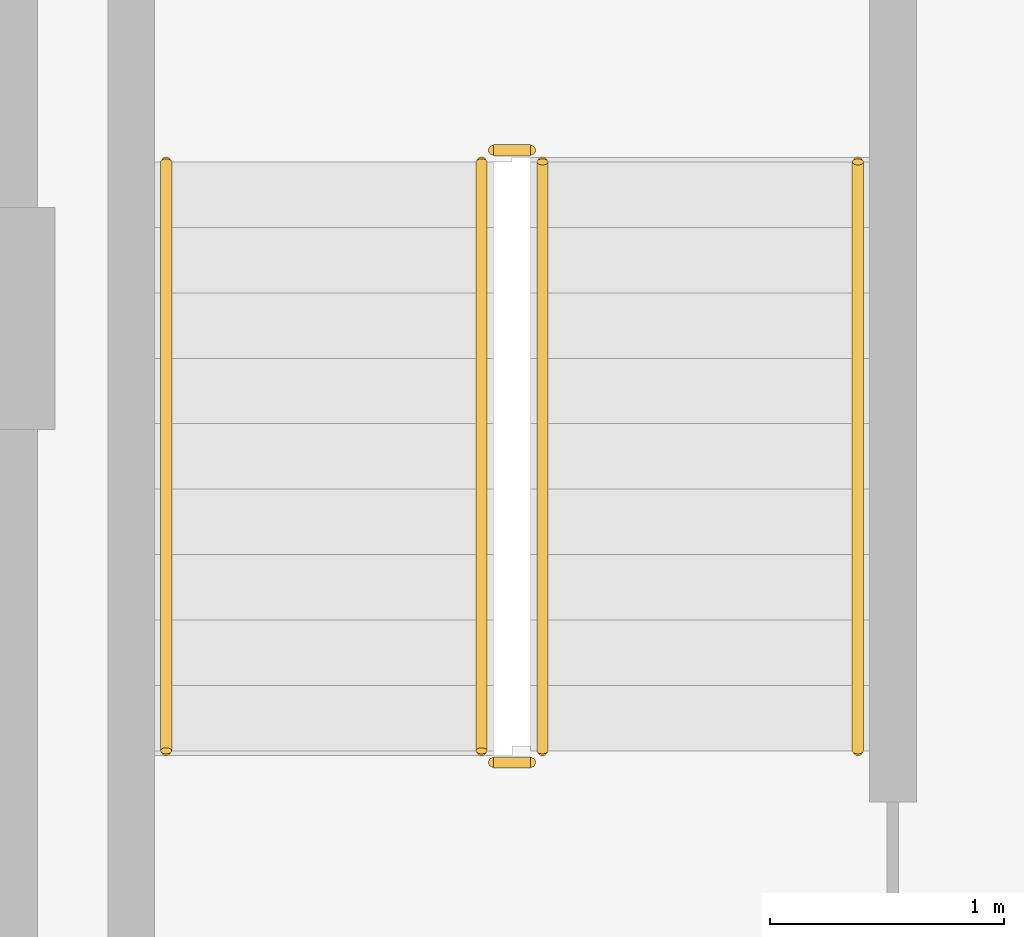
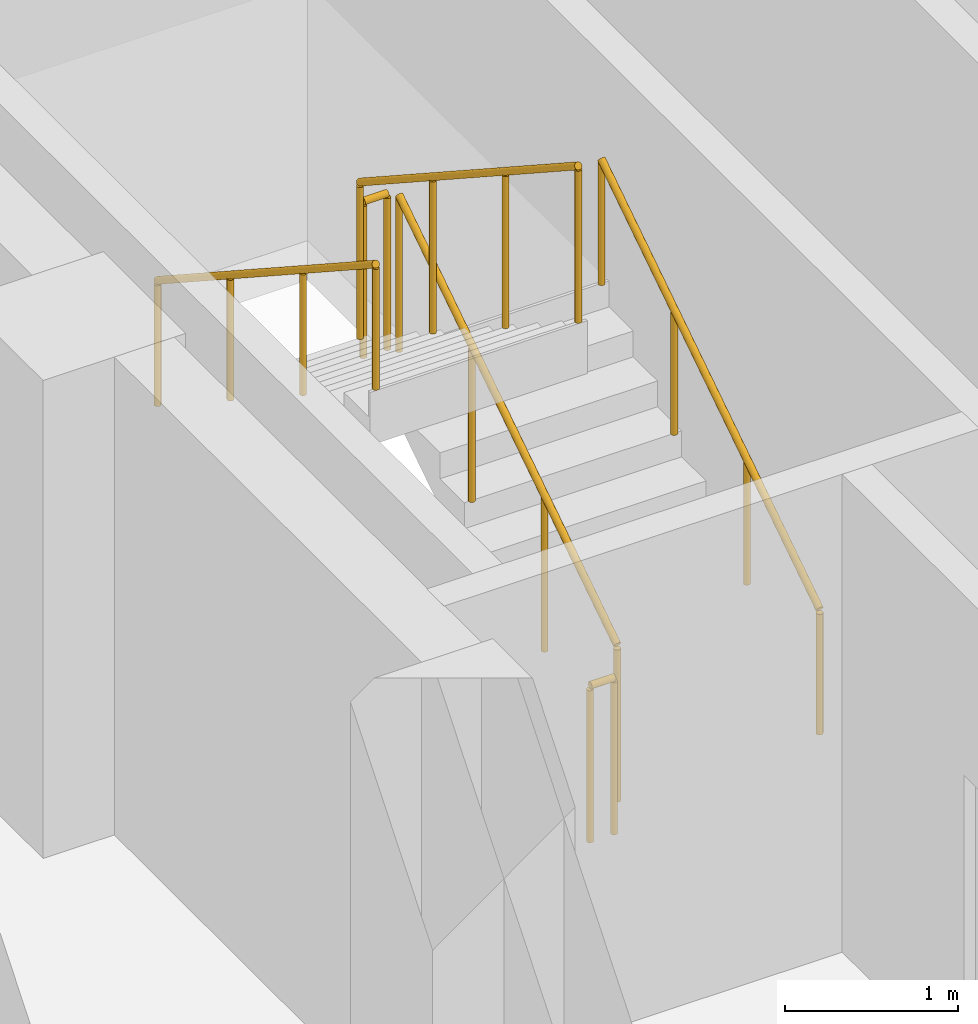
# One storey, part 11 of 13: 6 railings.
"""IFC4 building model written with IfcOpenShell, lengths in metres."""

from ifc_helpers import new_model, si_unit, direction, frame, origin, origin_2d, place, context, subcontext, project, spatial, circle, extrude, material, type_object, element, save


model = new_model("IFC4")

# Units and contexts
model_context = context("Model", 3, precision=1e-05, world=origin(), true_north=direction((0.0, 1.0)))
body_context = subcontext(model_context, "Body", "Model", "MODEL_VIEW")
ifc_project = project(units=[si_unit("LENGTHUNIT", "METRE"), si_unit("AREAUNIT", "SQUARE_METRE"), si_unit("VOLUMEUNIT", "CUBIC_METRE"), si_unit("PLANEANGLEUNIT", "RADIAN"), si_unit("MASSUNIT", "GRAM", prefix="KILO")], contexts=[model_context])

# Site, building, storey
site_placement = place(None, origin())
site = spatial("IfcSite", under=ifc_project, at=site_placement, CompositionType="ELEMENT")
building_placement = place(site_placement, origin())
building = spatial("IfcBuilding", under=site, at=building_placement, Name="Nuvemarco Arch Tower", CompositionType="ELEMENT")
storey_placement = place(building_placement, frame((0.0, 0.0, 156.699951171875)))
storey = spatial("IfcBuildingStorey", under=building, at=storey_placement, Name="L41", CompositionType="ELEMENT", Elevation=156.699951171875)

# Railings
ifc_material_1 = material(Name="Brushed stainless steel handrail", Category="steel")
railing_type_1 = type_object("IfcRailingType", Name="RL-HANDRAIL-900", PredefinedType="HANDRAIL", material=ifc_material_1)
railing_1_placement = place(storey_placement, frame((-13.590087890625, 2.64990234375, 0.1826171875)))
element("IfcRailing", 1, at=railing_1_placement, inside=storey, type_object=railing_type_1, Name="L41 ST-1 stair handrail 1", PredefinedType="HANDRAIL", context=body_context, shape_type="SweptSolid", body=[
    extrude(circle(Radius=0.02392578125, at=origin_2d()), frame((0.0, 0.0, 0.8759765625), z_axis=(0.0, 0.837786554691, 0.545997883492), x_axis=(-1.0, 0.0, 0.0)), (0.0, 0.0, 1.0), 3.008056640625),
    extrude(circle(Radius=0.02099609375, at=origin_2d()), origin(), (0.0, 0.0, 1.0), 0.851806640625),
    extrude(circle(Radius=0.02099609375, at=origin_2d()), frame((0.0, 0.840087890625, 0.54736328125)), (0.0, 0.0, 1.0), 0.851806640625),
    extrude(circle(Radius=0.02099609375, at=origin_2d()), frame((0.0, 1.679931640625, 1.094970703125)), (0.0, 0.0, 1.0), 0.851806640625),
    extrude(circle(Radius=0.02099609375, at=origin_2d()), frame((0.0, 2.52001953125, 1.642333984375)), (0.0, 0.0, 1.0), 0.851806640625),
])
railing_2_placement = place(storey_placement, frame((-16.550048828125, 5.169921875, 2.007568359375)))
element("IfcRailing", 2, at=railing_2_placement, inside=storey, type_object=railing_type_1, Name="L41 ST-1 stair handrail 2", PredefinedType="HANDRAIL", context=body_context, shape_type="SweptSolid", body=[
    extrude(circle(Radius=0.02392578125, at=origin_2d()), frame((0.0, 0.0, 0.8759765625), z_axis=(0.0, -0.837749427056, 0.546054848405), x_axis=(1.0, 0.0, 0.0)), (0.0, 0.0, 1.0), 3.008056640625),
    extrude(circle(Radius=0.02099609375, at=origin_2d()), origin(), (0.0, 0.0, 1.0), 0.851806640625),
    extrude(circle(Radius=0.02099609375, at=origin_2d()), frame((0.0, -0.840087890625, 0.547607421875)), (0.0, 0.0, 1.0), 0.851806640625),
    extrude(circle(Radius=0.02099609375, at=origin_2d()), frame((0.0, -1.679931640625, 1.094970703125)), (0.0, 0.0, 1.0), 0.851806640625),
    extrude(circle(Radius=0.02099609375, at=origin_2d()), frame((0.0, -2.52001953125, 1.642578125)), (0.0, 0.0, 1.0), 0.851806640625),
])
ifc_material_2 = material(Name="Painted balustrade steel S355", Category="steel")
railing_type_2 = type_object("IfcRailingType", Name="RL-STAIR-GUARD", PredefinedType="GUARDRAIL", material=ifc_material_2)
railing_3_placement = place(storey_placement, frame((-14.93994140625, 2.64990234375, 0.1826171875)))
element("IfcRailing", 3, at=railing_3_placement, inside=storey, type_object=railing_type_2, Name="L41 ST-1 stair guard 1", PredefinedType="GUARDRAIL", context=body_context, shape_type="SweptSolid", body=[
    extrude(circle(Radius=0.02392578125, at=origin_2d()), frame((0.0, 0.0, 1.09619140625), z_axis=(0.0, 0.837786554691, 0.545997883492), x_axis=(-1.0, 0.0, 0.0)), (0.0, 0.0, 1.0), 3.008056640625),
    extrude(circle(Radius=0.02099609375, at=origin_2d()), origin(), (0.0, 0.0, 1.0), 1.072021484375),
    extrude(circle(Radius=0.02099609375, at=origin_2d()), frame((0.0, 0.840087890625, 0.54736328125)), (0.0, 0.0, 1.0), 1.072021484375),
    extrude(circle(Radius=0.02099609375, at=origin_2d()), frame((0.0, 1.679931640625, 1.094970703125)), (0.0, 0.0, 1.0), 1.072021484375),
    extrude(circle(Radius=0.02099609375, at=origin_2d()), frame((0.0, 2.52001953125, 1.642333984375)), (0.0, 0.0, 1.0), 1.072021484375),
])
railing_4_placement = place(storey_placement, frame((-14.989990234375, 5.219970703125, 1.824951171875)))
element("IfcRailing", 4, at=railing_4_placement, inside=storey, type_object=railing_type_2, Name="L41 ST-1 stair guard 2", PredefinedType="GUARDRAIL", context=body_context, shape_type="SweptSolid", body=[
    extrude(circle(Radius=0.02392578125, at=origin_2d()), frame((0.0, 0.0, 1.09619140625), z_axis=(-1.0, 0.0, 0.0), x_axis=(0.0, -1.0, 0.0)), (0.0, 0.0, 1.0), 0.159912109375),
    extrude(circle(Radius=0.02099609375, at=origin_2d()), origin(), (0.0, 0.0, 1.0), 1.072021484375),
    extrude(circle(Radius=0.02099609375, at=origin_2d()), frame((-0.159912109375, 0.0, 0.0)), (0.0, 0.0, 1.0), 1.072021484375),
])
railing_5_placement = place(storey_placement, frame((-15.199951171875, 5.169921875, 2.007568359375)))
element("IfcRailing", 5, at=railing_5_placement, inside=storey, type_object=railing_type_2, Name="L41 ST-1 stair guard 3", PredefinedType="GUARDRAIL", context=body_context, shape_type="SweptSolid", body=[
    extrude(circle(Radius=0.02392578125, at=origin_2d()), frame((0.0, 0.0, 1.09619140625), z_axis=(0.0, -0.837749427056, 0.546054848405), x_axis=(1.0, 0.0, 0.0)), (0.0, 0.0, 1.0), 3.008056640625),
    extrude(circle(Radius=0.02099609375, at=origin_2d()), origin(), (0.0, 0.0, 1.0), 1.072021484375),
    extrude(circle(Radius=0.02099609375, at=origin_2d()), frame((0.0, -0.840087890625, 0.547607421875)), (0.0, 0.0, 1.0), 1.072021484375),
    extrude(circle(Radius=0.02099609375, at=origin_2d()), frame((0.0, -1.679931640625, 1.094970703125)), (0.0, 0.0, 1.0), 1.072021484375),
    extrude(circle(Radius=0.02099609375, at=origin_2d()), frame((0.0, -2.52001953125, 1.642578125)), (0.0, 0.0, 1.0), 1.072021484375),
])
railing_6_placement = place(storey_placement, frame((-14.989990234375, 2.60009765625, 0.0)))
element("IfcRailing", 6, at=railing_6_placement, inside=storey, type_object=railing_type_2, Name="L41 ST-1 stair guard 4", PredefinedType="GUARDRAIL", context=body_context, shape_type="SweptSolid", body=[
    extrude(circle(Radius=0.02392578125, at=origin_2d()), frame((0.0, 0.0, 1.09619140625), z_axis=(-1.0, 0.0, 0.0), x_axis=(0.0, -1.0, 0.0)), (0.0, 0.0, 1.0), 0.159912109375),
    extrude(circle(Radius=0.02099609375, at=origin_2d()), origin(), (0.0, 0.0, 1.0), 1.072021484375),
    extrude(circle(Radius=0.02099609375, at=origin_2d()), frame((-0.159912109375, 0.0, 0.0)), (0.0, 0.0, 1.0), 1.072021484375),
])

save(model, "model.ifc")
